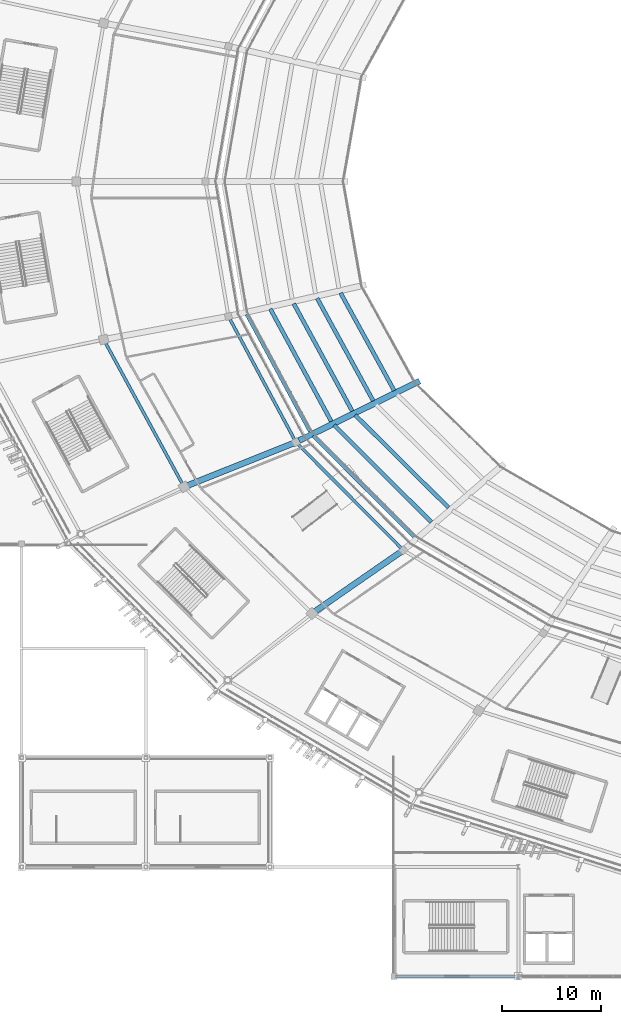
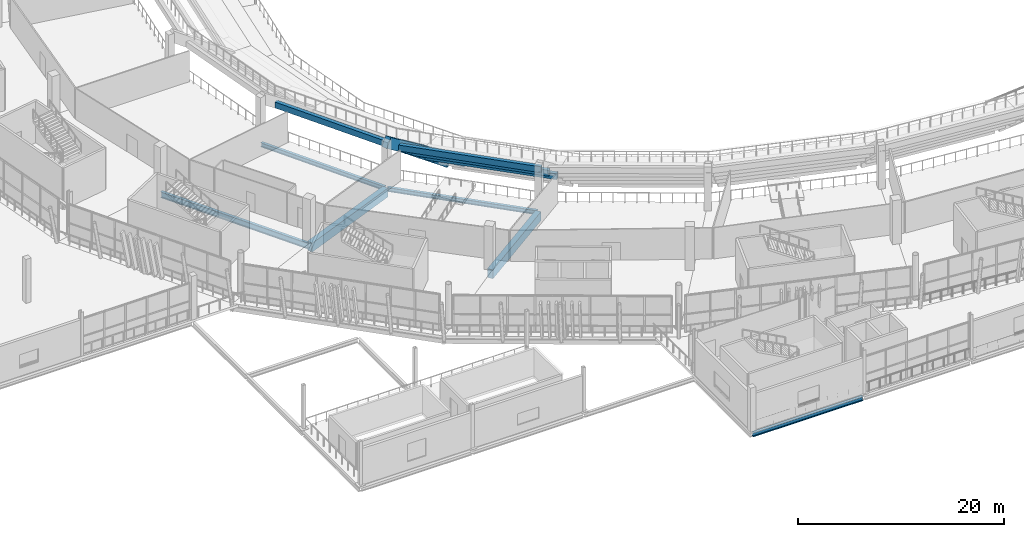
# One storey, part 31 of 178: 15 beams.
"""IFC4 building model written with IfcOpenShell, lengths in metres."""

from ifc_helpers import new_model, si_unit, direction, frame, origin, origin_2d, place, context, subcontext, project, spatial, rectangle, i_section, extrude, material, material_profile, profile_set, type_object, element, save


model = new_model("IFC4")

# Units and contexts
model_context = context("Model", 3, precision=1e-05, world=origin(), true_north=direction((0.0, 1.0)))
body_context = subcontext(model_context, "Body", "Model", "MODEL_VIEW")
ifc_project = project(units=[si_unit("LENGTHUNIT", "METRE"), si_unit("AREAUNIT", "SQUARE_METRE"), si_unit("VOLUMEUNIT", "CUBIC_METRE"), si_unit("PLANEANGLEUNIT", "RADIAN"), si_unit("MASSUNIT", "GRAM", prefix="KILO")], contexts=[model_context])

# Site, building, storey
site_placement = place(None, origin())
site = spatial("IfcSite", under=ifc_project, at=site_placement, CompositionType="ELEMENT")
building_placement = place(site_placement, origin())
building = spatial("IfcBuilding", under=site, at=building_placement, Name="Zlatoyarsky Gate Stadium", CompositionType="ELEMENT")
storey_placement = place(building_placement, frame((0.0, 0.0, 5.39990234375)))
storey = spatial("IfcBuildingStorey", under=building, at=storey_placement, Name="L01", CompositionType="ELEMENT", Elevation=5.39990234375)

# Beams
ifc_material_1 = material(Name="Concrete C40/50", Category="concrete")
ifc_material_profile_1 = material_profile(ifc_material_1, rectangle(XDim=0.39990234375, YDim=0.699951171875, at=origin_2d()), Name="RC BEAM 400X700")
ifc_profile_set_1 = profile_set([ifc_material_profile_1], Name="Concrete C40/50")
beam_type_1 = type_object("IfcBeamType", Name="CONCRETE FLOOR BEAM 400X700", PredefinedType="BEAM", material=ifc_profile_set_1)
beam_1_placement = place(storey_placement, frame((56.603515625, 68.765625, -4.219970703125), z_axis=(0.48145139023, -0.876472794127, 0.0), x_axis=(0.876472794127, 0.48145139023, 0.0)))
element("IfcBeam", 1, at=beam_1_placement, inside=storey, type_object=beam_type_1, Name="Lower bowl step tie beam 13.1", PredefinedType="BEAM", context=body_context, shape_type="SweptSolid", body=[
    extrude(rectangle(XDim=0.39990234375, YDim=0.699951171875, at=origin_2d()), origin(), (0.0, 0.0, 1.0), 11.21142578125),
])
beam_2_placement = place(storey_placement, frame((54.24609375, 68.232177734375, -2.31982421875), z_axis=(0.479621127395, -0.877475682943, 0.0), x_axis=(0.877475682943, 0.479621127395, 0.0)))
element("IfcBeam", 2, at=beam_2_placement, inside=storey, type_object=beam_type_1, Name="Lower bowl step tie beam 13.2", PredefinedType="BEAM", context=body_context, shape_type="SweptSolid", body=[
    extrude(rectangle(XDim=0.39990234375, YDim=0.699951171875, at=origin_2d()), origin(), (0.0, 0.0, 1.0), 11.76416015625),
])
beam_3_placement = place(storey_placement, frame((51.888916015625, 67.69873046875, -0.419921875), z_axis=(0.477953351943, -0.878385219233, 0.0), x_axis=(0.878385219233, 0.477953351943, 0.0)))
element("IfcBeam", 3, at=beam_3_placement, inside=storey, type_object=beam_type_1, Name="Lower bowl step tie beam 13.3", PredefinedType="BEAM", context=body_context, shape_type="SweptSolid", body=[
    extrude(rectangle(XDim=0.39990234375, YDim=0.699951171875, at=origin_2d()), origin(), (0.0, 0.0, 1.0), 12.317138671875),
])
beam_4_placement = place(storey_placement, frame((49.53173828125, 67.165283203125, 1.47998046875), z_axis=(0.476412699591, -0.879221780706, 0.0), x_axis=(0.879221780706, 0.476412699591, 0.0)))
element("IfcBeam", 4, at=beam_4_placement, inside=storey, type_object=beam_type_1, Name="Lower bowl step tie beam 13.4", PredefinedType="BEAM", context=body_context, shape_type="SweptSolid", body=[
    extrude(rectangle(XDim=0.39990234375, YDim=0.699951171875, at=origin_2d()), origin(), (0.0, 0.0, 1.0), 12.869873046875),
])
beam_5_placement = place(storey_placement, frame((47.17431640625, 66.632080078125, 3.380126953125), z_axis=(0.47500414589, -0.879983557453, 0.0), x_axis=(0.879983557453, 0.47500414589, 0.0)))
element("IfcBeam", 5, at=beam_5_placement, inside=storey, type_object=beam_type_1, Name="Lower bowl step tie beam 13.5", PredefinedType="BEAM", context=body_context, shape_type="SweptSolid", body=[
    extrude(rectangle(XDim=0.39990234375, YDim=0.699951171875, at=origin_2d()), origin(), (0.0, 0.0, 1.0), 13.423095703125),
])
beam_6_placement = place(storey_placement, frame((58.07275390625, 56.48388671875, -0.419921875), z_axis=(0.709916034949, -0.704286321976, 0.0), x_axis=(0.704286321976, 0.709916034949, 0.0)))
element("IfcBeam", 6, at=beam_6_placement, inside=storey, type_object=beam_type_1, Name="Lower bowl step tie beam 14.3", PredefinedType="BEAM", context=body_context, shape_type="SweptSolid", body=[
    extrude(rectangle(XDim=0.39990234375, YDim=0.699951171875, at=origin_2d()), origin(), (0.0, 0.0, 1.0), 13.226806640625),
])
beam_7_placement = place(storey_placement, frame((55.959228515625, 55.45361328125, 1.47998046875), z_axis=(0.708440933022, -0.705770107343, 0.0), x_axis=(0.705770107343, 0.708440933022, 0.0)))
element("IfcBeam", 7, at=beam_7_placement, inside=storey, type_object=beam_type_1, Name="Lower bowl step tie beam 14.4", PredefinedType="BEAM", context=body_context, shape_type="SweptSolid", body=[
    extrude(rectangle(XDim=0.39990234375, YDim=0.699951171875, at=origin_2d()), origin(), (0.0, 0.0, 1.0), 13.802978515625),
])
beam_8_placement = place(storey_placement, frame((53.845947265625, 54.423095703125, 3.380126953125), z_axis=(0.707089801183, -0.707123760782, 0.0), x_axis=(0.707123760782, 0.707089801183, 0.0)))
element("IfcBeam", 8, at=beam_8_placement, inside=storey, type_object=beam_type_1, Name="Lower bowl step tie beam 14.5", PredefinedType="BEAM", context=body_context, shape_type="SweptSolid", body=[
    extrude(rectangle(XDim=0.39990234375, YDim=0.699951171875, at=origin_2d()), origin(), (0.0, 0.0, 1.0), 14.37841796875),
])
ifc_material_profile_2 = material_profile(ifc_material_1, rectangle(XDim=0.60009765625, YDim=1.050048828125, at=origin_2d()), Name="RC GIRDER 600X1050")
ifc_profile_set_2 = profile_set([ifc_material_profile_2], Name="Concrete C40/50")
beam_type_2 = type_object("IfcBeamType", Name="CONCRETE PRIMARY GIRDER 600X1050", PredefinedType="T_BEAM", material=ifc_profile_set_2)
beam_9_placement = place(storey_placement, frame((51.998779296875, 53.70556640625, -0.824951171875), z_axis=(-0.928564503985, -0.371171068295, 0.0), x_axis=(0.371171068295, -0.928564503985, 0.0)))
element("IfcBeam", 9, at=beam_9_placement, inside=storey, type_object=beam_type_2, Name="Beam G-RC105 BM-L01-RAB-14", PredefinedType="T_BEAM", context=body_context, shape_type="SweptSolid", body=[
    extrude(rectangle(XDim=0.60009765625, YDim=1.050048828125, at=origin_2d()), origin(), (0.0, 0.0, 1.0), 11.88427734375),
])
beam_10_placement = place(storey_placement, frame((62.818115234375, 42.80859375, -0.824951171875), z_axis=(-0.822196208432, -0.569204176758, 0.0), x_axis=(0.569204176758, -0.822196208432, 0.0)))
element("IfcBeam", 10, at=beam_10_placement, inside=storey, type_object=beam_type_2, Name="Beam G-RC105 BM-L01-RAB-15", PredefinedType="T_BEAM", context=body_context, shape_type="SweptSolid", body=[
    extrude(rectangle(XDim=0.60009765625, YDim=1.050048828125, at=origin_2d()), origin(), (0.0, 0.0, 1.0), 10.9404296875),
])
ifc_material_2 = material(Name="Precast concrete C40/50", Category="concrete")
ifc_material_profile_3 = material_profile(ifc_material_2, rectangle(XDim=0.60009765625, YDim=1.14990234375, at=origin_2d()), Name="PC RAKER 600X1150")
ifc_profile_set_3 = profile_set([ifc_material_profile_3], Name="Precast concrete C40/50")
beam_type_3 = type_object("IfcBeamType", Name="PRECAST LOWER BOWL RAKER 600X1150", PredefinedType="USERDEFINED", material=ifc_profile_set_3)
beam_11_placement = place(storey_placement, frame((64.234619140625, 59.75, -5.14990234375), z_axis=(-0.718167235443, -0.355403193215, 0.598267826469), x_axis=(0.443535350711, -0.896256878729, 0.0)))
element("IfcBeam", 11, at=beam_11_placement, inside=storey, type_object=beam_type_3, Name="Lower bowl radial raker 14", ObjectType="RAKER", PredefinedType="USERDEFINED", context=body_context, shape_type="SweptSolid", body=[
    extrude(rectangle(XDim=0.60009765625, YDim=1.14990234375, at=origin_2d()), origin(), (0.0, 0.0, 1.0), 16.88232421875),
])
ifc_material_3 = material(Name="Steel S355", Category="steel")
ifc_material_profile_4 = material_profile(ifc_material_3, i_section(OverallWidth=0.300048828125, OverallDepth=0.5, WebThickness=0.014404296875, FlangeThickness=0.028076171875, FilletRadius=0.027099609375, at=origin_2d()), Name="HEB 500")
ifc_profile_set_4 = profile_set([ifc_material_profile_4], Name="Steel S355")
beam_type_4 = type_object("IfcBeamType", Name="STEEL PRIMARY GIRDER HEB 500", PredefinedType="BEAM", material=ifc_profile_set_4)
beam_12_placement = place(storey_placement, frame((45.373779296875, 66.306396484375, -0.5498046875), z_axis=(0.472766984781, -0.881187481812, 0.0), x_axis=(0.881187481812, 0.472766984781, 0.0)))
element("IfcBeam", 12, at=beam_12_placement, inside=storey, type_object=beam_type_4, Name="Beam G-HEB500 BM-L01-CRA-13", PredefinedType="BEAM", context=body_context, shape_type="SweptSolid", body=[
    extrude(i_section(OverallWidth=0.300048828125, OverallDepth=0.5, WebThickness=0.014404296875, FlangeThickness=0.028076171875, FilletRadius=0.027099609375, at=origin_2d()), origin(), (0.0, 0.0, 1.0), 14.12939453125),
])
beam_13_placement = place(storey_placement, frame((52.19482421875, 53.664794921875, -0.5498046875), z_axis=(0.704927331607, -0.709279533861, 0.0), x_axis=(0.709279533861, 0.704927331607, 0.0)))
element("IfcBeam", 13, at=beam_13_placement, inside=storey, type_object=beam_type_4, Name="Beam G-HEB500 BM-L01-CRA-14", PredefinedType="BEAM", context=body_context, shape_type="SweptSolid", body=[
    extrude(i_section(OverallWidth=0.300048828125, OverallDepth=0.5, WebThickness=0.014404296875, FlangeThickness=0.028076171875, FilletRadius=0.027099609375, at=origin_2d()), origin(), (0.0, 0.0, 1.0), 15.08984375),
])
beam_14_placement = place(storey_placement, frame((62.080078125, 0.0, -0.5498046875), z_axis=(1.0, 0.0, 0.0), x_axis=(0.0, 1.0, 0.0)))
element("IfcBeam", 14, at=beam_14_placement, inside=storey, type_object=beam_type_4, Name="Beam G-HEB500 BM-L01-WGX-6-A", PredefinedType="BEAM", context=body_context, shape_type="SweptSolid", body=[
    extrude(i_section(OverallWidth=0.300048828125, OverallDepth=0.5, WebThickness=0.014404296875, FlangeThickness=0.028076171875, FilletRadius=0.027099609375, at=origin_2d()), origin(), (0.0, 0.0, 1.0), 12.33984375),
])
ifc_material_profile_5 = material_profile(ifc_material_3, i_section(OverallWidth=0.300048828125, OverallDepth=0.699951171875, WebThickness=0.01708984375, FlangeThickness=0.031982421875, FilletRadius=0.027099609375, at=origin_2d()), Name="HEB 700")
ifc_profile_set_5 = profile_set([ifc_material_profile_5], Name="Steel S355")
beam_type_5 = type_object("IfcBeamType", Name="STEEL PRIMARY GIRDER HEB 700", PredefinedType="BEAM", material=ifc_profile_set_5)
beam_15_placement = place(storey_placement, frame((32.8173828125, 63.977294921875, -0.64990234375), z_axis=(0.478915800408, -0.877860840976, 0.0), x_axis=(0.877860840976, 0.478915800408, 0.0)))
element("IfcBeam", 15, at=beam_15_placement, inside=storey, type_object=beam_type_5, Name="Beam G-HEB700 BM-L01-CRB-13", PredefinedType="BEAM", context=body_context, shape_type="SweptSolid", body=[
    extrude(i_section(OverallWidth=0.300048828125, OverallDepth=0.699951171875, WebThickness=0.01708984375, FlangeThickness=0.031982421875, FilletRadius=0.027099609375, at=origin_2d()), origin(), (0.0, 0.0, 1.0), 16.656494140625),
])

save(model, "model.ifc")
